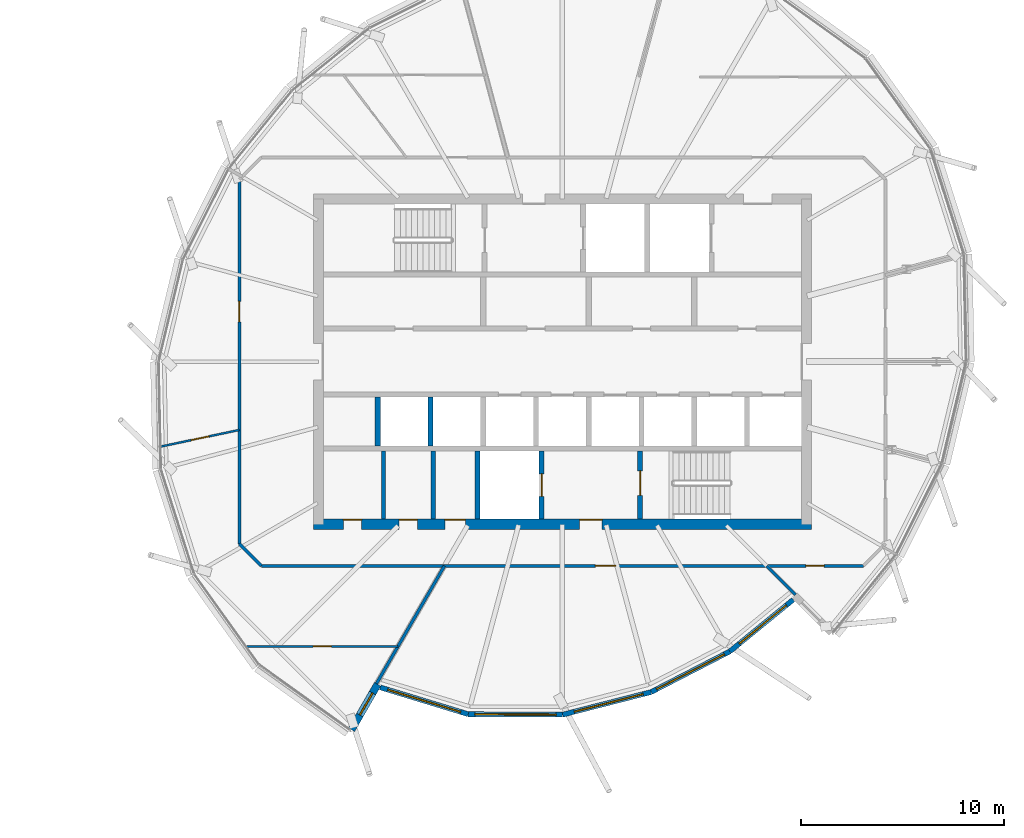
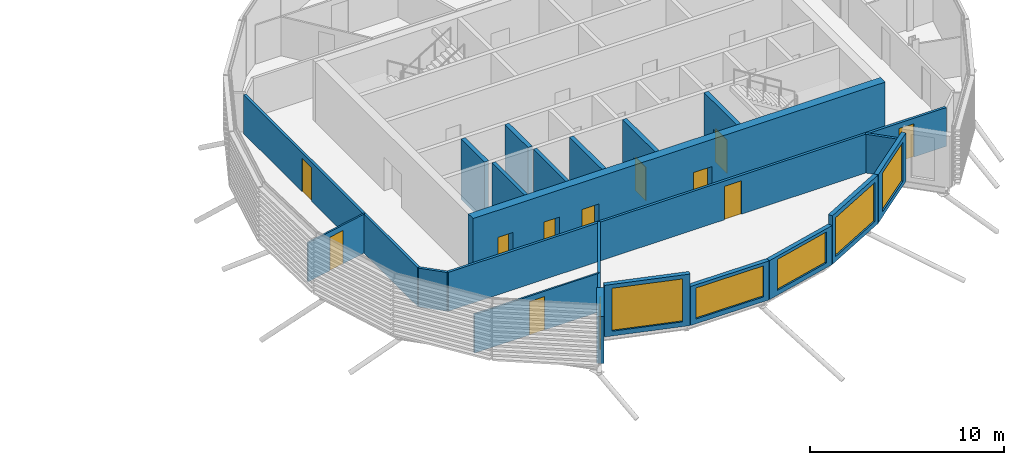
# One storey, part 20 of 38: 21 walls, 11 doors, 6 windows, 17 openings.
"""IFC4 building model written with IfcOpenShell, lengths in metres."""

from ifc_helpers import new_model, si_unit, direction, frame, frame_2d, origin, place, context, subcontext, project, spatial, rectangle, extrude, material, layer, layer_set, type_object, element, fill, save


model = new_model("IFC4")

# Units and contexts
model_context = context("Model", 3, precision=1e-05, world=origin(), true_north=direction((0.0, 1.0)))
body_context = subcontext(model_context, "Body", "Model", "MODEL_VIEW")
ifc_project = project(units=[si_unit("LENGTHUNIT", "METRE"), si_unit("AREAUNIT", "SQUARE_METRE"), si_unit("VOLUMEUNIT", "CUBIC_METRE"), si_unit("PLANEANGLEUNIT", "RADIAN"), si_unit("MASSUNIT", "GRAM", prefix="KILO")], contexts=[model_context])

# Site, building, storey
site_placement = place(None, origin())
site = spatial("IfcSite", under=ifc_project, at=site_placement, CompositionType="ELEMENT")
building_placement = place(site_placement, origin())
building = spatial("IfcBuilding", under=site, at=building_placement, Name="Rimbun Link Towers", CompositionType="ELEMENT")
storey_placement = place(building_placement, frame((0.0, 0.0, 218.10009765625)))
storey = spatial("IfcBuildingStorey", under=building, at=storey_placement, Name="L53", CompositionType="ELEMENT", Elevation=218.10009765625)

# Wall, opening, window
ifc_material_1 = material(Name="Dark enamelled glass spandrel on insulated aluminium backpan", Category="aluminium")
ifc_layer_1 = layer(ifc_material_1, 0.25)
ifc_layer_set_1 = layer_set([ifc_layer_1], Name="CS dark enamelled spandrel wall 250")
wall_type_1 = type_object("IfcWallType", Name="CS dark enamelled spandrel wall 250", PredefinedType="STANDARD", material=ifc_layer_set_1)
wall_1_placement = place(storey_placement, frame((27.11865234375, -17.338623046875, 0.0), z_axis=(0.0, 0.0, 1.0), x_axis=(-0.956574513319, 0.291487907928, 0.0)))
wall_1 = element("IfcWall", 1, at=wall_1_placement, inside=storey, type_object=wall_type_1, Name="Crease spandrel wall", PredefinedType="STANDARD", context=body_context, shape_type="SweptSolid", body=[
    extrude(rectangle(XDim=4.525390625, YDim=0.25, at=frame_2d((2.2626953125, 0.0))), origin(), (0.0, 0.0, 1.0), 3.243408203125),
])
opening_1_placement = place(wall_1_placement, frame((0.3876953125, 0.0, 0.300048828125)))
opening_1 = element("IfcOpeningElement", 2, at=opening_1_placement, cuts=wall_1, Name="Opening WR38H270", PredefinedType="OPENING", context=body_context, shape_type="SweptSolid", body=[
    extrude(rectangle(XDim=3.75, YDim=2.699951171875, at=frame_2d((1.875, 1.35009765625))), frame((0.0, 0.135009765625, 0.0), z_axis=(0.0, -1.0, 0.0), x_axis=(1.0, 0.0, 0.0)), (0.0, 0.0, 1.0), 0.27001953125),
])
ifc_material_2 = material(Name="Aluminium framed fixed window, dark tinted low-e glass", Category="aluminium")
window_type_1 = type_object("IfcWindowType", Name="WR ribbon window 3750X2700", PartitioningType="SINGLE_PANEL", PredefinedType="WINDOW", material=ifc_material_2)
window_1_placement = place(opening_1_placement, origin())
window_1 = element("IfcWindow", 3, at=window_1_placement, inside=storey, type_object=window_type_1, Name="Crease ribbon window", OverallHeight=2.699951171875, OverallWidth=3.75, PartitioningType="SINGLE_PANEL", PredefinedType="WINDOW", context=body_context, shape_type="SweptSolid", body=[
    extrude(rectangle(XDim=3.75, YDim=2.699951171875, at=frame_2d((1.875, 1.35009765625))), frame((0.0, 0.030029296875, 0.0), z_axis=(0.0, -1.0, 0.0), x_axis=(1.0, 0.0, 0.0)), (0.0, 0.0, 1.0), 0.06005859375),
])
fill(opening_1, window_1)

wall_2_placement = place(storey_placement, frame((31.765380859375, -17.361328125, 0.0), z_axis=(0.0, 0.0, 1.0), x_axis=(-0.999988062493, 0.004886191867, 0.0)))
wall_2 = element("IfcWall", 4, at=wall_2_placement, inside=storey, type_object=wall_type_1, Name="Crease spandrel wall", PredefinedType="STANDARD", context=body_context, shape_type="SweptSolid", body=[
    extrude(rectangle(XDim=4.646728515625, YDim=0.25, at=frame_2d((2.3232421875, 0.0))), origin(), (0.0, 0.0, 1.0), 2.449951171875),
])
opening_2_placement = place(wall_2_placement, frame((0.323486328125, 0.0, 0.300048828125)))
opening_2 = element("IfcOpeningElement", 5, at=opening_2_placement, cuts=wall_2, Name="Opening WR40H195", PredefinedType="OPENING", context=body_context, shape_type="SweptSolid", body=[
    extrude(rectangle(XDim=4.0, YDim=1.949951171875, at=frame_2d((2.0, 0.97509765625))), frame((0.0, 0.135009765625, 0.0), z_axis=(0.0, -1.0, 0.0), x_axis=(1.0, 0.0, 0.0)), (0.0, 0.0, 1.0), 0.27001953125),
])
ifc_material_3 = material(Name="Aluminium framed fixed window, dark tinted low-e glass", Category="aluminium")
window_type_2 = type_object("IfcWindowType", Name="WR ribbon window 4000X1950", PartitioningType="SINGLE_PANEL", PredefinedType="WINDOW", material=ifc_material_3)
window_2_placement = place(opening_2_placement, origin())
window_2 = element("IfcWindow", 6, at=window_2_placement, inside=storey, type_object=window_type_2, Name="Crease ribbon window", OverallHeight=1.949951171875, OverallWidth=4.0, PartitioningType="SINGLE_PANEL", PredefinedType="WINDOW", context=body_context, shape_type="SweptSolid", body=[
    extrude(rectangle(XDim=4.0, YDim=1.949951171875, at=frame_2d((2.0, 0.97509765625))), frame((0.0, 0.030029296875, 0.0), z_axis=(0.0, -1.0, 0.0), x_axis=(1.0, 0.0, 0.0)), (0.0, 0.0, 1.0), 0.06005859375),
])
fill(opening_2, window_2)

wall_3_placement = place(storey_placement, frame((36.116943359375, -16.247802734375, 0.0), z_axis=(0.0, 0.0, 1.0), x_axis=(-0.968784795865, -0.247903245845, 0.0)))
wall_3 = element("IfcWall", 7, at=wall_3_placement, inside=storey, type_object=wall_type_1, Name="Crease spandrel wall", PredefinedType="STANDARD", context=body_context, shape_type="SweptSolid", body=[
    extrude(rectangle(XDim=4.49169921875, YDim=0.25, at=frame_2d((2.245849609375, 0.0))), origin(), (0.0, 0.0, 1.0), 2.449951171875),
])
opening_3_placement = place(wall_3_placement, frame((0.40869140625, 0.0, 0.300048828125)))
opening_3 = element("IfcOpeningElement", 8, at=opening_3_placement, cuts=wall_3, Name="Opening WR35H195", PredefinedType="OPENING", context=body_context, shape_type="SweptSolid", body=[
    extrude(rectangle(XDim=3.5, YDim=1.949951171875, at=frame_2d((1.75, 0.97509765625))), frame((0.0, 0.135009765625, 0.0), z_axis=(0.0, -1.0, 0.0), x_axis=(1.0, 0.0, 0.0)), (0.0, 0.0, 1.0), 0.27001953125),
])
ifc_material_4 = material(Name="Aluminium framed fixed window, dark tinted low-e glass", Category="aluminium")
window_type_3 = type_object("IfcWindowType", Name="WR ribbon window 3500X1950", PartitioningType="SINGLE_PANEL", PredefinedType="WINDOW", material=ifc_material_4)
window_3_placement = place(opening_3_placement, origin())
window_3 = element("IfcWindow", 9, at=window_3_placement, inside=storey, type_object=window_type_3, Name="Crease ribbon window", OverallHeight=1.949951171875, OverallWidth=3.5, PartitioningType="SINGLE_PANEL", PredefinedType="WINDOW", context=body_context, shape_type="SweptSolid", body=[
    extrude(rectangle(XDim=3.5, YDim=1.949951171875, at=frame_2d((1.75, 0.97509765625))), frame((0.0, 0.030029296875, 0.0), z_axis=(0.0, -1.0, 0.0), x_axis=(1.0, 0.0, 0.0)), (0.0, 0.0, 1.0), 0.06005859375),
])
fill(opening_3, window_3)

wall_4_placement = place(storey_placement, frame((39.9853515625, -14.249755859375, 0.0), z_axis=(0.0, 0.0, 1.0), x_axis=(-0.888484972791, -0.458905712674, 0.0)))
wall_4 = element("IfcWall", 10, at=wall_4_placement, inside=storey, type_object=wall_type_1, Name="Crease spandrel wall", PredefinedType="STANDARD", context=body_context, shape_type="SweptSolid", body=[
    extrude(rectangle(XDim=4.35400390625, YDim=0.25, at=frame_2d((2.177001953125, 0.0))), origin(), (0.0, 0.0, 1.0), 3.04736328125),
])
opening_4_placement = place(wall_4_placement, frame((0.302001953125, 0.0, 0.300048828125)))
opening_4 = element("IfcOpeningElement", 11, at=opening_4_placement, cuts=wall_4, Name="Opening WR38H245", PredefinedType="OPENING", context=body_context, shape_type="SweptSolid", body=[
    extrude(rectangle(XDim=3.75, YDim=2.449951171875, at=frame_2d((1.875, 1.22509765625))), frame((0.0, 0.135009765625, 0.0), z_axis=(0.0, -1.0, 0.0), x_axis=(1.0, 0.0, 0.0)), (0.0, 0.0, 1.0), 0.27001953125),
])
ifc_material_5 = material(Name="Aluminium framed fixed window, dark tinted low-e glass", Category="aluminium")
window_type_4 = type_object("IfcWindowType", Name="WR ribbon window 3750X2450", PartitioningType="SINGLE_PANEL", PredefinedType="WINDOW", material=ifc_material_5)
window_4_placement = place(opening_4_placement, origin())
window_4 = element("IfcWindow", 12, at=window_4_placement, inside=storey, type_object=window_type_4, Name="Crease ribbon window", OverallHeight=2.449951171875, OverallWidth=3.75, PartitioningType="SINGLE_PANEL", PredefinedType="WINDOW", context=body_context, shape_type="SweptSolid", body=[
    extrude(rectangle(XDim=3.75, YDim=2.449951171875, at=frame_2d((1.875, 1.22509765625))), frame((0.0, 0.030029296875, 0.0), z_axis=(0.0, -1.0, 0.0), x_axis=(1.0, 0.0, 0.0)), (0.0, 0.0, 1.0), 0.06005859375),
])
fill(opening_4, window_4)

wall_5_placement = place(storey_placement, frame((43.10205078125, -11.70556640625, 0.0), z_axis=(0.0, 0.0, 1.0), x_axis=(-0.774667873464, -0.632368315006, 0.0)))
wall_5 = element("IfcWall", 13, at=wall_5_placement, inside=storey, type_object=wall_type_1, Name="Crease spandrel wall", PredefinedType="STANDARD", context=body_context, shape_type="SweptSolid", body=[
    extrude(rectangle(XDim=4.023193359375, YDim=0.25, at=frame_2d((2.01171875, 0.0))), origin(), (0.0, 0.0, 1.0), 3.04736328125),
])
opening_5_placement = place(wall_5_placement, frame((0.428466796875, 0.0, 0.300048828125)))
opening_5 = element("IfcOpeningElement", 14, at=opening_5_placement, cuts=wall_5, Name="Opening WR30H245", PredefinedType="OPENING", context=body_context, shape_type="SweptSolid", body=[
    extrude(rectangle(XDim=3.0, YDim=2.449951171875, at=frame_2d((1.5, 1.22509765625))), frame((0.0, 0.135009765625, 0.0), z_axis=(0.0, -1.0, 0.0), x_axis=(1.0, 0.0, 0.0)), (0.0, 0.0, 1.0), 0.27001953125),
])
ifc_material_6 = material(Name="Aluminium framed fixed window, dark tinted low-e glass", Category="aluminium")
window_type_5 = type_object("IfcWindowType", Name="WR ribbon window 3000X2450", PartitioningType="SINGLE_PANEL", PredefinedType="WINDOW", material=ifc_material_6)
window_5_placement = place(opening_5_placement, origin())
window_5 = element("IfcWindow", 15, at=window_5_placement, inside=storey, type_object=window_type_5, Name="Crease ribbon window", OverallHeight=2.449951171875, OverallWidth=3.0, PartitioningType="SINGLE_PANEL", PredefinedType="WINDOW", context=body_context, shape_type="SweptSolid", body=[
    extrude(rectangle(XDim=3.0, YDim=2.449951171875, at=frame_2d((1.5, 1.22509765625))), frame((0.0, 0.030029296875, 0.0), z_axis=(0.0, -1.0, 0.0), x_axis=(1.0, 0.0, 0.0)), (0.0, 0.0, 1.0), 0.06005859375),
])
fill(opening_5, window_5)

ifc_material_7 = material(Name="Dark enamelled glass spandrel on insulated aluminium backpan", Category="aluminium")
ifc_layer_2 = layer(ifc_material_7, 0.3701171875)
ifc_layer_set_2 = layer_set([ifc_layer_2], Name="CS dark enamelled spandrel wall 370")
wall_type_2 = type_object("IfcWallType", Name="CS dark enamelled spandrel wall 370", PredefinedType="STANDARD", material=ifc_layer_set_2)
wall_6_placement = place(storey_placement, frame((22.664794921875, -15.865966796875, 0.0), z_axis=(0.0, 0.0, 1.0), x_axis=(-0.500006411147, -0.866021702275, 0.0)))
wall_6 = element("IfcWall", 16, at=wall_6_placement, inside=storey, type_object=wall_type_2, Name="Crease spandrel wall", PredefinedType="STANDARD", context=body_context, shape_type="SweptSolid", body=[
    extrude(rectangle(XDim=2.580078125, YDim=0.3701171875, at=frame_2d((1.2900390625, 0.0))), origin(), (0.0, 0.0, 1.0), 2.966552734375),
])
opening_6_placement = place(wall_6_placement, frame((0.498779296875, 0.0, 0.300048828125)))
opening_6 = element("IfcOpeningElement", 17, at=opening_6_placement, cuts=wall_6, Name="Opening WR12H245", PredefinedType="OPENING", context=body_context, shape_type="SweptSolid", body=[
    extrude(rectangle(XDim=1.25, YDim=2.449951171875, at=frame_2d((0.625, 1.22509765625))), frame((0.0, 0.195068359375, 0.0), z_axis=(0.0, -1.0, 0.0), x_axis=(1.0, 0.0, 0.0)), (0.0, 0.0, 1.0), 0.39013671875),
])
ifc_material_8 = material(Name="Aluminium framed fixed window, dark tinted low-e glass", Category="aluminium")
window_type_6 = type_object("IfcWindowType", Name="WR ribbon window 1250X2450", PartitioningType="SINGLE_PANEL", PredefinedType="WINDOW", material=ifc_material_8)
window_6_placement = place(opening_6_placement, origin())
window_6 = element("IfcWindow", 18, at=window_6_placement, inside=storey, type_object=window_type_6, Name="Crease ribbon window", OverallHeight=2.449951171875, OverallWidth=1.25, PartitioningType="SINGLE_PANEL", PredefinedType="WINDOW", context=body_context, shape_type="SweptSolid", body=[
    extrude(rectangle(XDim=1.25, YDim=2.449951171875, at=frame_2d((0.625, 1.22509765625))), frame((0.0, 0.030029296875, 0.0), z_axis=(0.0, -1.0, 0.0), x_axis=(1.0, 0.0, 0.0)), (0.0, 0.0, 1.0), 0.06005859375),
])
fill(opening_6, window_6)

# Walls
ifc_material_9 = material(Name="Masonry blockwork", Category="masonry")
ifc_layer_3 = layer(ifc_material_9, 0.199951171875)
ifc_layer_set_3 = layer_set([ifc_layer_3], Name="Core partition 200")
wall_type_3 = type_object("IfcWallType", Name="Core partition 200", PredefinedType="PARTITIONING", material=ifc_layer_set_3)
for number, where, z_axis, x_axis, name in (
    (19, (22.949951171875, -4.39990234375, 0.0), (0.0, 0.0, 1.0), (0.0, -1.0, 0.0), "L53 T2 core wall C1"),
    (20, (25.39990234375, -4.39990234375, 0.0), (0.0, 0.0, 1.0), (0.0, -1.0, 0.0), "L53 T2 core wall C2"),
):
    element("IfcWall", number, at=place(storey_placement, frame(where, z_axis=z_axis, x_axis=x_axis)), inside=storey, type_object=wall_type_3, Name=name, PredefinedType="PARTITIONING", context=body_context, shape_type="SweptSolid", body=[
        extrude(rectangle(XDim=3.35009765625, YDim=0.199951171875, at=frame_2d((1.675048828125, 0.0))), origin(), (0.0, 0.0, 1.0), 3.7998046875),
    ])

# Wall, openings, doors
ifc_material_10 = material(Name="Concrete C60/75", Category="concrete")
ifc_layer_4 = layer(ifc_material_10, 0.5)
ifc_layer_set_4 = layer_set([ifc_layer_4], Name="Core shear wall 500")
wall_type_4 = type_object("IfcWallType", Name="Core shear wall 500", PredefinedType="SHEAR", material=ifc_layer_set_4)
wall_7_placement = place(storey_placement, frame((19.5, -8.0, 0.0), z_axis=(0.0, 0.0, 1.0), x_axis=(1.0, 0.0, 0.0)))
wall_7 = element("IfcWall", 21, at=wall_7_placement, inside=storey, type_object=wall_type_4, Name="L53 T2 core wall S", PredefinedType="SHEAR", context=body_context, shape_type="SweptSolid", body=[
    extrude(rectangle(XDim=24.5, YDim=0.5, at=frame_2d((12.25, 0.0))), origin(), (0.0, 0.0, 1.0), 3.7998046875),
])
opening_7_placement = place(wall_7_placement, frame((13.10009765625, 0.0, 0.0)))
opening_7 = element("IfcOpeningElement", 22, at=opening_7_placement, cuts=wall_7, Name="Opening C2DCF01S", PredefinedType="OPENING", context=body_context, shape_type="SweptSolid", body=[
    extrude(rectangle(XDim=1.10009765625, YDim=2.10009765625, at=frame_2d((0.550048828125, 1.050048828125))), frame((0.0, 0.260009765625, 0.0), z_axis=(0.0, -1.0, 0.0), x_axis=(1.0, 0.0, 0.0)), (0.0, 0.0, 1.0), 0.52001953125),
])
opening_8_placement = place(wall_7_placement, frame((1.47509765625, 0.0, 0.0)))
opening_8 = element("IfcOpeningElement", 23, at=opening_8_placement, cuts=wall_7, Name="Opening C2DWC02S", PredefinedType="OPENING", context=body_context, shape_type="SweptSolid", body=[
    extrude(rectangle(XDim=0.89990234375, YDim=2.10009765625, at=frame_2d((0.449951171875, 1.050048828125))), frame((0.0, 0.260009765625, 0.0), z_axis=(0.0, -1.0, 0.0), x_axis=(1.0, 0.0, 0.0)), (0.0, 0.0, 1.0), 0.52001953125),
])
opening_9_placement = place(wall_7_placement, frame((4.22509765625, 0.0, 0.0)))
opening_9 = element("IfcOpeningElement", 24, at=opening_9_placement, cuts=wall_7, Name="Opening C2DWC03S", PredefinedType="OPENING", context=body_context, shape_type="SweptSolid", body=[
    extrude(rectangle(XDim=0.89990234375, YDim=2.10009765625, at=frame_2d((0.449951171875, 1.050048828125))), frame((0.0, 0.260009765625, 0.0), z_axis=(0.0, -1.0, 0.0), x_axis=(1.0, 0.0, 0.0)), (0.0, 0.0, 1.0), 0.52001953125),
])
opening_10_placement = place(wall_7_placement, frame((6.47509765625, 0.0, 0.0)))
opening_10 = element("IfcOpeningElement", 25, at=opening_10_placement, cuts=wall_7, Name="Opening C2DAW04S", PredefinedType="OPENING", context=body_context, shape_type="SweptSolid", body=[
    extrude(rectangle(XDim=1.0, YDim=2.10009765625, at=frame_2d((0.5, 1.050048828125))), frame((0.0, 0.260009765625, 0.0), z_axis=(0.0, -1.0, 0.0), x_axis=(1.0, 0.0, 0.0)), (0.0, 0.0, 1.0), 0.52001953125),
])
ifc_material_11 = material(Name="Timber", Category="wood")
door_type_1 = type_object("IfcDoorType", Name="Accessible WC door", OperationType="SINGLE_SWING_LEFT", PredefinedType="DOOR", material=ifc_material_11)
door_1_placement = place(opening_10_placement, origin())
door_1 = element("IfcDoor", 26, at=door_1_placement, inside=storey, type_object=door_type_1, Name="L53 T2 accessible wc door", OperationType="SINGLE_SWING_RIGHT", OverallHeight=2.10009765625, OverallWidth=1.0, PredefinedType="DOOR", context=body_context, shape_type="SweptSolid", body=[
    extrude(rectangle(XDim=1.0, YDim=2.10009765625, at=frame_2d((0.5, 1.050048828125))), frame((0.0, 0.25, 0.0), z_axis=(0.0, -1.0, 0.0), x_axis=(1.0, 0.0, 0.0)), (0.0, 0.0, 1.0), 0.050048828125),
])
fill(opening_10, door_1)
ifc_material_12 = material(Name="Steel fire door set", Category="steel")
door_type_2 = type_object("IfcDoorType", Name="Core fire door single", OperationType="SINGLE_SWING_LEFT", PredefinedType="DOOR", material=ifc_material_12)
door_2_placement = place(opening_7_placement, origin())
door_2 = element("IfcDoor", 27, at=door_2_placement, inside=storey, type_object=door_type_2, Name="L53 T2 firefighting lobby s door", OperationType="SINGLE_SWING_RIGHT", OverallHeight=2.10009765625, OverallWidth=1.10009765625, PredefinedType="DOOR", context=body_context, shape_type="SweptSolid", body=[
    extrude(rectangle(XDim=1.10009765625, YDim=2.10009765625, at=frame_2d((0.550048828125, 1.050048828125))), frame((0.0, 0.25, 0.0), z_axis=(0.0, -1.0, 0.0), x_axis=(1.0, 0.0, 0.0)), (0.0, 0.0, 1.0), 0.050048828125),
])
fill(opening_7, door_2)
ifc_material_13 = material(Name="Timber", Category="wood")
door_type_3 = type_object("IfcDoorType", Name="WC door", OperationType="SINGLE_SWING_LEFT", PredefinedType="DOOR", material=ifc_material_13)
door_3_placement = place(opening_8_placement, origin())
door_3 = element("IfcDoor", 28, at=door_3_placement, inside=storey, type_object=door_type_3, Name="L53 T2 male wc door", OperationType="SINGLE_SWING_RIGHT", OverallHeight=2.10009765625, OverallWidth=0.89990234375, PredefinedType="DOOR", context=body_context, shape_type="SweptSolid", body=[
    extrude(rectangle(XDim=0.89990234375, YDim=2.10009765625, at=frame_2d((0.449951171875, 1.050048828125))), frame((0.0, 0.25, 0.0), z_axis=(0.0, -1.0, 0.0), x_axis=(1.0, 0.0, 0.0)), (0.0, 0.0, 1.0), 0.050048828125),
])
fill(opening_8, door_3)
door_4_placement = place(opening_9_placement, origin())
door_4 = element("IfcDoor", 29, at=door_4_placement, inside=storey, type_object=door_type_3, Name="L53 T2 female wc door", OperationType="SINGLE_SWING_RIGHT", OverallHeight=2.10009765625, OverallWidth=0.89990234375, PredefinedType="DOOR", context=body_context, shape_type="SweptSolid", body=[
    extrude(rectangle(XDim=0.89990234375, YDim=2.10009765625, at=frame_2d((0.449951171875, 1.050048828125))), frame((0.0, 0.25, 0.0), z_axis=(0.0, -1.0, 0.0), x_axis=(1.0, 0.0, 0.0)), (0.0, 0.0, 1.0), 0.050048828125),
])
fill(opening_9, door_4)

ifc_material_14 = material(Name="Plasterboard on steel stud, mineral wool", Category="steel")
ifc_layer_5 = layer(ifc_material_14, 0.14990234375)
ifc_layer_set_5 = layer_set([ifc_layer_5], Name="Corridor wall EI 30 150 mm")
wall_type_5 = type_object("IfcWallType", Name="Corridor wall EI 30 150 mm", PredefinedType="PARTITIONING", material=ifc_layer_set_5)
wall_8_placement = place(storey_placement, frame((46.5537109375, -10.044921875, 0.0), z_axis=(0.0, 0.0, 1.0), x_axis=(-1.0, 0.0, 0.0)))
wall_8 = element("IfcWall", 30, at=wall_8_placement, inside=storey, type_object=wall_type_5, Name="Corridor wall EI 30 150 mm", PredefinedType="PARTITIONING", context=body_context, shape_type="SweptSolid", body=[
    extrude(rectangle(XDim=29.607421875, YDim=0.14990234375, at=frame_2d((14.8037109375, 0.0))), origin(), (0.0, 0.0, 1.0), 2.43994140625),
])
opening_11_placement = place(wall_8_placement, frame((1.92919921875, 0.0, 0.0)))
opening_11 = element("IfcOpeningElement", 31, at=opening_11_placement, cuts=wall_8, Name="Opening D02", PredefinedType="OPENING", context=body_context, shape_type="SweptSolid", body=[
    extrude(rectangle(XDim=0.89990234375, YDim=2.10009765625, at=frame_2d((0.449951171875, 1.050048828125))), frame((0.0, 0.0849609375, 0.0), z_axis=(0.0, -1.0, 0.0), x_axis=(1.0, 0.0, 0.0)), (0.0, 0.0, 1.0), 0.169921875),
])
opening_12_placement = place(wall_8_placement, frame((12.180908203125, 0.0, 0.0)))
opening_12 = element("IfcOpeningElement", 32, at=opening_12_placement, cuts=wall_8, Name="Opening D01", PredefinedType="OPENING", context=body_context, shape_type="SweptSolid", body=[
    extrude(rectangle(XDim=1.0, YDim=2.10009765625, at=frame_2d((0.5, 1.050048828125))), frame((0.0, 0.0849609375, 0.0), z_axis=(0.0, -1.0, 0.0), x_axis=(1.0, 0.0, 0.0)), (0.0, 0.0, 1.0), 0.169921875),
])
ifc_material_15 = material(Name="Fire-resisting timber door leaf", Category="wood")
door_type_4 = type_object("IfcDoorType", Name="Fire door FD30S 1000", OperationType="NOTDEFINED", PredefinedType="DOOR", material=ifc_material_15)
door_5_placement = place(opening_12_placement, origin())
door_5 = element("IfcDoor", 33, at=door_5_placement, inside=storey, type_object=door_type_4, Name="Fire door FD30S 1000 to Terrace office", OperationType="SINGLE_SWING_RIGHT", OverallHeight=2.10009765625, OverallWidth=1.0, PredefinedType="DOOR", context=body_context, shape_type="SweptSolid", body=[
    extrude(rectangle(XDim=1.0, YDim=2.10009765625, at=frame_2d((0.5, 1.050048828125))), frame((0.0, 0.02490234375, 0.0), z_axis=(0.0, -1.0, 0.0), x_axis=(1.0, 0.0, 0.0)), (0.0, 0.0, 1.0), 0.050048828125),
])
fill(opening_12, door_5)
ifc_material_16 = material(Name="Fire-resisting timber door leaf", Category="wood")
door_type_5 = type_object("IfcDoorType", Name="Fire door FD30S 900", OperationType="NOTDEFINED", PredefinedType="DOOR", material=ifc_material_16)
door_6_placement = place(opening_11_placement, origin())
door_6 = element("IfcDoor", 34, at=door_6_placement, inside=storey, type_object=door_type_5, Name="Fire door FD30S 900 to Meeting room", OperationType="SINGLE_SWING_LEFT", OverallHeight=2.10009765625, OverallWidth=0.89990234375, PredefinedType="DOOR", context=body_context, shape_type="SweptSolid", body=[
    extrude(rectangle(XDim=0.89990234375, YDim=2.10009765625, at=frame_2d((0.449951171875, 1.050048828125))), frame((0.0, 0.02490234375, 0.0), z_axis=(0.0, -1.0, 0.0), x_axis=(1.0, 0.0, 0.0)), (0.0, 0.0, 1.0), 0.050048828125),
])
fill(opening_11, door_6)

# Wall
wall_9_placement = place(storey_placement, frame((15.864990234375, -8.963623046875, 0.0), z_axis=(0.0, 0.0, 1.0), x_axis=(0.707106781187, -0.707106781187, 0.0)))
element("IfcWall", 35, at=wall_9_placement, inside=storey, type_object=wall_type_5, Name="Corridor wall EI 30 150 mm", PredefinedType="PARTITIONING", context=body_context, shape_type="SweptSolid", body=[
    extrude(rectangle(XDim=1.529296875, YDim=0.14990234375, at=frame_2d((0.7646484375, 0.0))), origin(), (0.0, 0.0, 1.0), 2.43994140625),
])

# Wall, opening, door
wall_10_placement = place(storey_placement, frame((15.864990234375, -8.963623046875, 0.0), z_axis=(0.0, 0.0, 1.0), x_axis=(0.0, 1.0, 0.0)))
wall_10 = element("IfcWall", 36, at=wall_10_placement, inside=storey, type_object=wall_type_5, Name="Corridor wall EI 30 150 mm", PredefinedType="PARTITIONING", context=body_context, shape_type="SweptSolid", body=[
    extrude(rectangle(XDim=17.92724609375, YDim=0.14990234375, at=frame_2d((8.963623046875, 0.0))), origin(), (0.0, 0.0, 1.0), 2.43994140625),
])
opening_13_placement = place(wall_10_placement, frame((10.923583984375, 0.0, 0.0)))
opening_13 = element("IfcOpeningElement", 37, at=opening_13_placement, cuts=wall_10, Name="Opening D01", PredefinedType="OPENING", context=body_context, shape_type="SweptSolid", body=[
    extrude(rectangle(XDim=1.0, YDim=2.10009765625, at=frame_2d((0.5, 1.050048828125))), frame((0.0, 0.0849609375, 0.0), z_axis=(0.0, -1.0, 0.0), x_axis=(1.0, 0.0, 0.0)), (0.0, 0.0, 1.0), 0.169921875),
])
door_7_placement = place(opening_13_placement, origin())
door_7 = element("IfcDoor", 38, at=door_7_placement, inside=storey, type_object=door_type_4, Name="Fire door FD30S 1000 to Reception", OperationType="SINGLE_SWING_LEFT", OverallHeight=2.10009765625, OverallWidth=1.0, PredefinedType="DOOR", context=body_context, shape_type="SweptSolid", body=[
    extrude(rectangle(XDim=1.0, YDim=2.10009765625, at=frame_2d((0.5, 1.050048828125))), frame((0.0, 0.02490234375, 0.0), z_axis=(0.0, -1.0, 0.0), x_axis=(1.0, 0.0, 0.0)), (0.0, 0.0, 1.0), 0.050048828125),
])
fill(opening_13, door_7)

ifc_material_17 = material(Name="Plasterboard on steel stud", Category="steel")
ifc_layer_6 = layer(ifc_material_17, 0.10009765625)
ifc_layer_set_6 = layer_set([ifc_layer_6], Name="Plasterboard partition 100 mm")
wall_type_6 = type_object("IfcWallType", Name="Plasterboard partition 100 mm", PredefinedType="PARTITIONING", material=ifc_layer_set_6)
wall_11_placement = place(storey_placement, frame((15.864990234375, -3.360107421875, 0.0), z_axis=(0.0, 0.0, 1.0), x_axis=(-0.978341998754, -0.206995008331, 0.0)))
wall_11 = element("IfcWall", 39, at=wall_11_placement, inside=storey, type_object=wall_type_6, Name="Plasterboard partition 100 mm", PredefinedType="PARTITIONING", context=body_context, shape_type="SweptSolid", body=[
    extrude(rectangle(XDim=3.94873046875, YDim=0.10009765625, at=frame_2d((1.974365234375, 0.0))), origin(), (0.0, 0.0, 1.0), 2.43994140625),
])
opening_14_placement = place(wall_11_placement, frame((1.5244140625, 0.0, 0.0)))
opening_14 = element("IfcOpeningElement", 40, at=opening_14_placement, cuts=wall_11, Name="Opening D04", PredefinedType="OPENING", context=body_context, shape_type="SweptSolid", body=[
    extrude(rectangle(XDim=0.89990234375, YDim=2.10009765625, at=frame_2d((0.449951171875, 1.050048828125))), frame((0.0, 0.06005859375, 0.0), z_axis=(0.0, -1.0, 0.0), x_axis=(1.0, 0.0, 0.0)), (0.0, 0.0, 1.0), 0.1201171875),
])
ifc_material_18 = material(Name="Timber door leaf", Category="wood")
door_type_6 = type_object("IfcDoorType", Name="Flush door 900", OperationType="NOTDEFINED", PredefinedType="DOOR", material=ifc_material_18)
door_8_placement = place(opening_14_placement, origin())
door_8 = element("IfcDoor", 41, at=door_8_placement, inside=storey, type_object=door_type_6, Name="Flush door 900 to Meeting room", OperationType="SINGLE_SWING_RIGHT", OverallHeight=2.10009765625, OverallWidth=0.89990234375, PredefinedType="DOOR", context=body_context, shape_type="SweptSolid", body=[
    extrude(rectangle(XDim=0.89990234375, YDim=2.10009765625, at=frame_2d((0.449951171875, 1.050048828125))), frame((0.0, 0.02490234375, 0.0), z_axis=(0.0, -1.0, 0.0), x_axis=(1.0, 0.0, 0.0)), (0.0, 0.0, 1.0), 0.050048828125),
])
fill(opening_14, door_8)

wall_12_placement = place(storey_placement, frame((23.664306640625, -14.0048828125, 0.0), z_axis=(0.0, 0.0, 1.0), x_axis=(-1.0, 0.0, 0.0)))
wall_12 = element("IfcWall", 42, at=wall_12_placement, inside=storey, type_object=wall_type_6, Name="Plasterboard partition 100 mm", PredefinedType="PARTITIONING", context=body_context, shape_type="SweptSolid", body=[
    extrude(rectangle(XDim=7.4423828125, YDim=0.10009765625, at=frame_2d((3.72119140625, 0.0))), origin(), (0.0, 0.0, 1.0), 2.43994140625),
])
opening_15_placement = place(wall_12_placement, frame((3.271240234375, 0.0, 0.0)))
opening_15 = element("IfcOpeningElement", 43, at=opening_15_placement, cuts=wall_12, Name="Opening D04", PredefinedType="OPENING", context=body_context, shape_type="SweptSolid", body=[
    extrude(rectangle(XDim=0.89990234375, YDim=2.10009765625, at=frame_2d((0.449951171875, 1.050048828125))), frame((0.0, 0.06005859375, 0.0), z_axis=(0.0, -1.0, 0.0), x_axis=(1.0, 0.0, 0.0)), (0.0, 0.0, 1.0), 0.1201171875),
])
door_9_placement = place(opening_15_placement, origin())
door_9 = element("IfcDoor", 44, at=door_9_placement, inside=storey, type_object=door_type_6, Name="Flush door 900 to Executive office", OperationType="SINGLE_SWING_RIGHT", OverallHeight=2.10009765625, OverallWidth=0.89990234375, PredefinedType="DOOR", context=body_context, shape_type="SweptSolid", body=[
    extrude(rectangle(XDim=0.89990234375, YDim=2.10009765625, at=frame_2d((0.449951171875, 1.050048828125))), frame((0.0, 0.02490234375, 0.0), z_axis=(0.0, -1.0, 0.0), x_axis=(1.0, 0.0, 0.0)), (0.0, 0.0, 1.0), 0.050048828125),
])
fill(opening_15, door_9)

# Walls
ifc_material_19 = material(Name="Concrete C60/75", Category="concrete")
ifc_layer_7 = layer(ifc_material_19, 0.25)
ifc_layer_set_7 = layer_set([ifc_layer_7], Name="Shaft wall 250")
wall_type_7 = type_object("IfcWallType", Name="Shaft wall 250", PredefinedType="SHEAR", material=ifc_layer_set_7)
for number, where, z_axis, x_axis, name in (
    (45, (22.66943359375, -4.14990234375, 0.0), (0.0, 0.0, 1.0), (0.0, 1.0, 0.0), "L53 T2 core wall DS0"),
    (46, (25.263916015625, -4.14990234375, 0.0), (0.0, 0.0, 1.0), (0.0, 1.0, 0.0), "L53 T2 core wall DS1"),
):
    element("IfcWall", number, at=place(storey_placement, frame(where, z_axis=z_axis, x_axis=x_axis)), inside=storey, type_object=wall_type_7, Name=name, PredefinedType="SHEAR", context=body_context, shape_type="SweptSolid", body=[
        extrude(rectangle(XDim=2.39990234375, YDim=0.25, at=frame_2d((1.199951171875, 0.0))), origin(), (0.0, 0.0, 1.0), 3.7998046875),
    ])

# Wall, opening, door
wall_13_placement = place(storey_placement, frame((35.574951171875, -4.39990234375, 0.0), z_axis=(0.0, 0.0, 1.0), x_axis=(0.0, -1.0, 0.0)))
wall_13 = element("IfcWall", 47, at=wall_13_placement, inside=storey, type_object=wall_type_7, Name="L53 T2 core wall B1", PredefinedType="SHEAR", context=body_context, shape_type="SweptSolid", body=[
    extrude(rectangle(XDim=3.35009765625, YDim=0.25, at=frame_2d((1.675048828125, 0.0))), origin(), (0.0, 0.0, 1.0), 3.7998046875),
])
opening_16_placement = place(wall_13_placement, frame((0.97509765625, 0.0, 0.0)))
opening_16 = element("IfcOpeningElement", 48, at=opening_16_placement, cuts=wall_13, Name="Opening C2DST01B1", PredefinedType="OPENING", context=body_context, shape_type="SweptSolid", body=[
    extrude(rectangle(XDim=1.199951171875, YDim=2.10009765625, at=frame_2d((0.60009765625, 1.050048828125))), frame((0.0, 0.135009765625, 0.0), z_axis=(0.0, -1.0, 0.0), x_axis=(1.0, 0.0, 0.0)), (0.0, 0.0, 1.0), 0.27001953125),
])
ifc_material_20 = material(Name="Steel fire door set", Category="steel")
door_type_7 = type_object("IfcDoorType", Name="Stair door", OperationType="SINGLE_SWING_LEFT", PredefinedType="DOOR", material=ifc_material_20)
door_10_placement = place(opening_16_placement, origin())
door_10 = element("IfcDoor", 49, at=door_10_placement, inside=storey, type_object=door_type_7, Name="L53 T2 stair b door", OperationType="SINGLE_SWING_LEFT", OverallHeight=2.10009765625, OverallWidth=1.199951171875, PredefinedType="DOOR", context=body_context, shape_type="SweptSolid", body=[
    extrude(rectangle(XDim=1.199951171875, YDim=2.10009765625, at=frame_2d((0.60009765625, 1.050048828125))), frame((0.0, 0.02490234375, 0.0), z_axis=(0.0, -1.0, 0.0), x_axis=(1.0, 0.0, 0.0)), (0.0, 0.0, 1.0), 0.050048828125),
])
fill(opening_16, door_10)

wall_14_placement = place(storey_placement, frame((30.72509765625, -4.39990234375, 0.0), z_axis=(0.0, 0.0, 1.0), x_axis=(0.0, -1.0, 0.0)))
wall_14 = element("IfcWall", 50, at=wall_14_placement, inside=storey, type_object=wall_type_7, Name="L53 T2 core wall B2", PredefinedType="SHEAR", context=body_context, shape_type="SweptSolid", body=[
    extrude(rectangle(XDim=3.35009765625, YDim=0.25, at=frame_2d((1.675048828125, 0.0))), origin(), (0.0, 0.0, 1.0), 3.7998046875),
])
opening_17_placement = place(wall_14_placement, frame((1.125, 0.0, 0.0)))
opening_17 = element("IfcOpeningElement", 51, at=opening_17_placement, cuts=wall_14, Name="Opening LD-T2-FF2", PredefinedType="OPENING", context=body_context, shape_type="SweptSolid", body=[
    extrude(rectangle(XDim=1.10009765625, YDim=2.10009765625, at=frame_2d((0.550048828125, 1.050048828125))), frame((0.0, 0.135009765625, 0.0), z_axis=(0.0, -1.0, 0.0), x_axis=(1.0, 0.0, 0.0)), (0.0, 0.0, 1.0), 0.27001953125),
])
ifc_material_21 = material(Name="Stainless steel grade 316", Category="steel")
door_type_8 = type_object("IfcDoorType", Name="Lift landing door", OperationType="DOUBLE_DOOR_SLIDING", PredefinedType="DOOR", material=ifc_material_21)
door_11_placement = place(opening_17_placement, origin())
door_11 = element("IfcDoor", 52, at=door_11_placement, inside=storey, type_object=door_type_8, Name="L53 T2 lift FF2 landing door", OperationType="DOUBLE_DOOR_SLIDING", OverallHeight=2.10009765625, OverallWidth=1.10009765625, PredefinedType="DOOR", context=body_context, shape_type="SweptSolid", body=[
    extrude(rectangle(XDim=1.10009765625, YDim=2.10009765625, at=frame_2d((0.550048828125, 1.050048828125))), frame((0.0, 0.02490234375, 0.0), z_axis=(0.0, -1.0, 0.0), x_axis=(1.0, 0.0, 0.0)), (0.0, 0.0, 1.0), 0.050048828125),
])
fill(opening_17, door_11)

# Walls
wall_15_placement = place(storey_placement, frame((27.574951171875, -4.39990234375, 0.0), z_axis=(0.0, 0.0, 1.0), x_axis=(0.0, -1.0, 0.0)))
element("IfcWall", 53, at=wall_15_placement, inside=storey, type_object=wall_type_7, Name="L53 T2 core wall B3", PredefinedType="SHEAR", context=body_context, shape_type="SweptSolid", body=[
    extrude(rectangle(XDim=3.35009765625, YDim=0.25, at=frame_2d((1.675048828125, 0.0))), origin(), (0.0, 0.0, 1.0), 3.7998046875),
])
ifc_material_22 = material(Name="Plasterboard on steel stud, mineral wool", Category="steel")
ifc_layer_8 = layer(ifc_material_22, 0.14990234375)
ifc_layer_set_8 = layer_set([ifc_layer_8], Name="Tenancy separation wall EI 60 150 mm")
wall_type_8 = type_object("IfcWallType", Name="Tenancy separation wall EI 60 150 mm", PredefinedType="PARTITIONING", material=ifc_layer_set_8)
wall_16_placement = place(storey_placement, frame((25.950439453125, -10.044921875, 0.0), z_axis=(0.0, 0.0, 1.0), x_axis=(-0.500000688076, -0.866025006523, 0.0)))
element("IfcWall", 54, at=wall_16_placement, inside=storey, type_object=wall_type_8, Name="Tenancy separation wall EI 60 150 mm", PredefinedType="PARTITIONING", context=body_context, shape_type="SweptSolid", body=[
    extrude(rectangle(XDim=6.68408203125, YDim=0.14990234375, at=frame_2d((3.342041015625, 0.0))), origin(), (0.0, 0.0, 1.0), 2.43994140625),
])
wall_17_placement = place(storey_placement, frame((41.794921875, -10.044921875, 0.0), z_axis=(0.0, 0.0, 1.0), x_axis=(0.707106781187, -0.707106781187, 0.0)))
element("IfcWall", 55, at=wall_17_placement, inside=storey, type_object=wall_type_8, Name="Tenancy separation wall EI 60 150 mm", PredefinedType="PARTITIONING", context=body_context, shape_type="SweptSolid", body=[
    extrude(rectangle(XDim=1.998046875, YDim=0.14990234375, at=frame_2d((0.9990234375, 0.0))), origin(), (0.0, 0.0, 1.0), 2.43994140625),
])

save(model, "model.ifc")
